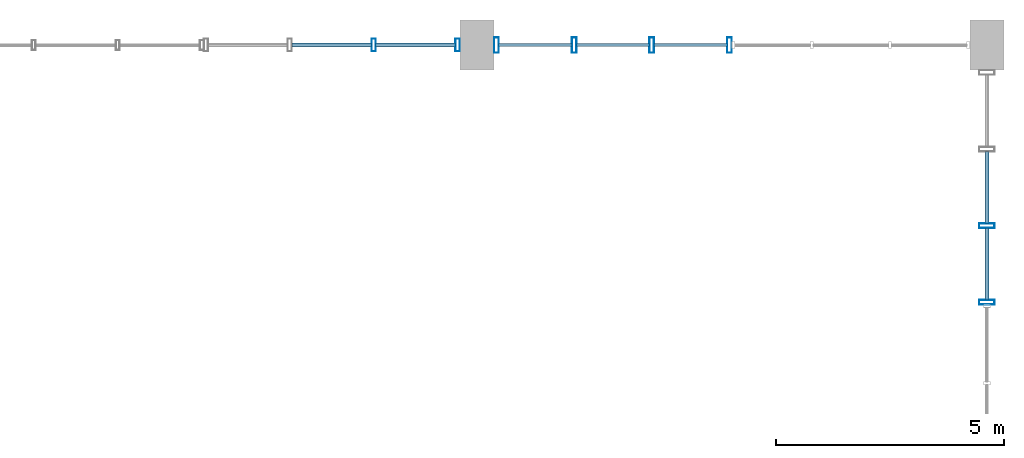
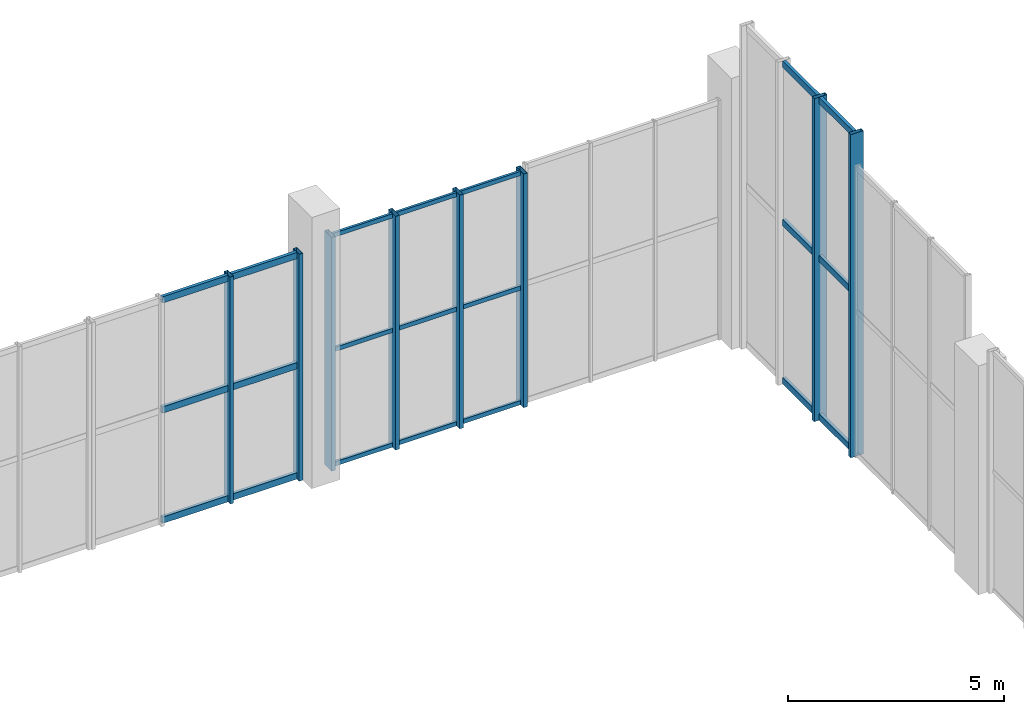
# One storey, part 17 of 28: 29 members, 3 elements without a shape of their own.
"""IFC4 building model written with IfcOpenShell, lengths in metres."""

import ifcopenshell
import ifcopenshell.guid

model = None  # the IFC model being written
_history = None  # IfcOwnerHistory: only IFC2X3 demands one
_inside = {}  # id of a spatial element -> (the spatial element, [elements in it])
_under = {}  # id of a project, library or spatial element -> (it, [spatial elements below it])
_declared = {}  # id of a project -> (the project, [libraries it declares])
_typed = {}  # id of a type object -> (the type object, [elements of that type])
_made_of = {}  # id of a material, layer set ... -> (it, [elements and type objects made of it])


def new_model(schema):
    """Start an empty IFC model of exactly this schema.

    Asked for "IFC4X3", IfcOpenShell would pick the latest addendum, in which some entities
    have other attributes; the version numbers below select the first issue.
    IFC2X3 requires an IfcOwnerHistory on every rooted entity: one is made here for all.
    """
    global model, _history
    if schema == "IFC4X3":
        model = ifcopenshell.file(schema_version=(4, 3, 0, 0))
    else:
        model = ifcopenshell.file(schema=schema)
    _inside.clear()
    _under.clear()
    _declared.clear()
    _typed.clear()
    _made_of.clear()
    _history = None
    if model.schema == "IFC2X3":
        org = make("IfcOrganization", Name="unknown")
        user = make(
            "IfcPersonAndOrganization",
            ThePerson=make("IfcPerson", FamilyName="unknown"),
            TheOrganization=org,
        )
        app = make(
            "IfcApplication",
            ApplicationDeveloper=org,
            Version="unknown",
            ApplicationFullName="unknown",
            ApplicationIdentifier="unknown",
        )
        _history = make(
            "IfcOwnerHistory",
            OwningUser=user,
            OwningApplication=app,
            ChangeAction="ADDED",
            CreationDate=0,
        )
    return model


def make(cls, **values):
    """One entity of the class cls with the attributes given. An attribute that is None is left unset."""
    return model.create_entity(
        cls, **{name: value for name, value in values.items() if value is not None}
    )


def rooted(cls, **values):
    """An entity with a GlobalId (a new one), such as an element, a storey or a relation."""
    return make(cls, GlobalId=ifcopenshell.guid.new(), OwnerHistory=_history, **values)


def si_unit(unit_type, name, prefix=None):
    """IfcSIUnit, for example si_unit("LENGTHUNIT", "METRE", prefix="MILLI")."""
    return make("IfcSIUnit", UnitType=unit_type, Prefix=prefix, Name=name)


def assignment(units):
    """IfcUnitAssignment: the units of a project."""
    return None if units is None else make("IfcUnitAssignment", Units=units)


def point(xyz):
    """IfcCartesianPoint."""
    return None if xyz is None else make("IfcCartesianPoint", Coordinates=xyz)


def direction(xyz):
    """IfcDirection."""
    return None if xyz is None else make("IfcDirection", DirectionRatios=xyz)


def frame(location, z_axis=None, x_axis=None):
    """IfcAxis2Placement3D, a coordinate frame: its origin and axes. An axis left out is left unset."""
    return make(
        "IfcAxis2Placement3D",
        Location=point(location),
        Axis=direction(z_axis),
        RefDirection=direction(x_axis),
    )


def frame_2d(location, x_axis=None):
    """IfcAxis2Placement2D, a coordinate frame in the plane: its origin and x axis."""
    return make(
        "IfcAxis2Placement2D", Location=point(location), RefDirection=direction(x_axis)
    )


def origin():
    """The frame at (0, 0, 0) with its axes left unset."""
    return frame((0.0, 0.0, 0.0))


def origin_2d():
    """The frame at (0, 0) in the plane with its x axis left unset."""
    return frame_2d((0.0, 0.0))


def place(relative_to, where):
    """IfcLocalPlacement: puts the frame where relative to a parent placement (None: the world)."""
    return make(
        "IfcLocalPlacement", PlacementRelTo=relative_to, RelativePlacement=where
    )


def context(
    kind, dimensions, precision=None, world=None, true_north=None, identifier=None
):
    """IfcGeometricRepresentationContext, for example the 3D "Model" context."""
    return make(
        "IfcGeometricRepresentationContext",
        ContextIdentifier=identifier,
        ContextType=kind,
        CoordinateSpaceDimension=dimensions,
        Precision=precision,
        WorldCoordinateSystem=world,
        TrueNorth=true_north,
    )


def subcontext(parent, identifier, kind, view, scale=None):
    """IfcGeometricRepresentationSubContext, for example "Body" below "Model"."""
    return make(
        "IfcGeometricRepresentationSubContext",
        ContextIdentifier=identifier,
        ContextType=kind,
        ParentContext=parent,
        TargetScale=scale,
        TargetView=view,
    )


def project(units=None, contexts=None):
    """IfcProject with its units and contexts."""
    return rooted(
        "IfcProject",
        Name="project",
        RepresentationContexts=contexts,
        UnitsInContext=assignment(units),
    )


def spatial(cls, under=None, at=None, **own):
    """A site, building, storey or space (cls), placed at a placement, below another one or the project."""
    s = rooted(cls, ObjectPlacement=at, **own)
    if under is not None:
        _under.setdefault(under.id(), (under, []))[1].append(s)
    return s


def profile(cls, at=None, kind="AREA", **sizes):
    """A parametric profile (cls). Its sizes go by their IFC names, for example OverallWidth=200.0."""
    return make(cls, ProfileType=kind, Position=at, **sizes)


def hollow_rectangle(**sizes):
    """IfcRectangleHollowProfileDef."""
    return profile("IfcRectangleHollowProfileDef", **sizes)


def extrude(swept, where, along, depth):
    """IfcExtrudedAreaSolid: the profile swept, set in the frame where, extruded along a direction by depth."""
    return make(
        "IfcExtrudedAreaSolid",
        SweptArea=swept,
        Position=where,
        ExtrudedDirection=direction(along),
        Depth=depth,
    )


def shape(context_of_items, identifier, shape_type, items):
    """IfcShapeRepresentation: the items that make up one representation, for example the "Body"."""
    return make(
        "IfcShapeRepresentation",
        ContextOfItems=context_of_items,
        RepresentationIdentifier=identifier,
        RepresentationType=shape_type,
        Items=items,
    )


def material(Name=None, Category=None):
    """IfcMaterial."""
    return make("IfcMaterial", Name=Name, Category=Category)


def layer(
    of_material, thickness, ventilated=None, Name=None, Category=None, Priority=None
):
    """IfcMaterialLayer: one layer of a wall or slab, of a material (None: an air gap)."""
    return make(
        "IfcMaterialLayer",
        Material=of_material,
        LayerThickness=thickness,
        IsVentilated=ventilated,
        Name=Name,
        Category=Category,
        Priority=Priority,
    )


def layer_set(layers, Name=None):
    """IfcMaterialLayerSet."""
    return make("IfcMaterialLayerSet", MaterialLayers=layers, LayerSetName=Name)


def material_profile(
    of_material, cross_section, Name=None, Category=None, Priority=None
):
    """IfcMaterialProfile: a cross section and its material."""
    return make(
        "IfcMaterialProfile",
        Name=Name,
        Material=of_material,
        Profile=cross_section,
        Priority=Priority,
        Category=Category,
    )


def profile_set(profiles, Name=None, composite=None):
    """IfcMaterialProfileSet."""
    return make(
        "IfcMaterialProfileSet",
        Name=Name,
        MaterialProfiles=profiles,
        CompositeProfile=composite,
    )


def made_of(thing, what):
    """Note that an element or type object is made of a material, layer set ...; save() writes the relation."""
    if what is not None:
        _made_of.setdefault(what.id(), (what, []))[1].append(thing)
    return thing


def type_object(cls, material=None, **own):
    """A type object (cls), such as IfcWallType, which elements share."""
    return made_of(rooted(cls, **own), material)


def element(
    cls,
    number,
    at=None,
    inside=None,
    cuts=None,
    type_object=None,
    material=None,
    context=None,
    identifier="Body",
    shape_type=None,
    held_by="IfcProductDefinitionShape",
    body=None,
    shapes=None,
    **own,
):
    """One element of the class cls, such as IfcWall. Its Tag is "e" and its number.

    at: its placement. inside: the storey or other place that contains it. cuts: it is an
    opening in that element (IfcRelVoidsElement). A single representation is given by context,
    identifier, shape_type and body (its items); several are given by shapes. held_by: the class
    of the entity that holds the representations. save() writes the other relations.
    """
    e = rooted(cls, Tag="e%d" % number, ObjectPlacement=at, **own)
    if body is not None:
        shapes = [shape(context, identifier, shape_type, body)]
    if shapes is not None:
        e.Representation = make(held_by, Representations=shapes)
    if inside is not None:
        _inside.setdefault(inside.id(), (inside, []))[1].append(e)
    if cuts is not None:
        rooted(
            "IfcRelVoidsElement", RelatingBuildingElement=cuts, RelatedOpeningElement=e
        )
    if type_object is not None:
        _typed.setdefault(type_object.id(), (type_object, []))[1].append(e)
    return made_of(e, material)


def aggregate(whole, parts):
    """IfcRelAggregates: a whole, such as a stair, and the parts it consists of."""
    return rooted("IfcRelAggregates", RelatingObject=whole, RelatedObjects=parts)


def save(model, path):
    """Write the relations noted so far, then the file.

    IfcRelAggregates (storeys below a building ...), IfcRelContainedInSpatialStructure (elements
    in a storey), IfcRelDefinesByType, IfcRelAssociatesMaterial and IfcRelDeclares: one each for
    every whole, place, type object, material and project.
    """
    for whole, parts in _under.values():
        aggregate(whole, parts)
    for where, things in _inside.values():
        rooted(
            "IfcRelContainedInSpatialStructure",
            RelatedElements=things,
            RelatingStructure=where,
        )
    for kind, things in _typed.values():
        rooted("IfcRelDefinesByType", RelatedObjects=things, RelatingType=kind)
    for what, things in _made_of.values():
        rooted("IfcRelAssociatesMaterial", RelatedObjects=things, RelatingMaterial=what)
    for by, libraries in _declared.values():
        rooted("IfcRelDeclares", RelatingContext=by, RelatedDefinitions=libraries)
    model.write(path)


model = new_model("IFC4")

# Units and contexts
model_context = context("Model", 3, precision=1e-05, world=origin(), true_north=direction((0.0, 1.0)))
body_context = subcontext(model_context, "Body", "Model", "MODEL_VIEW")
ifc_project = project(units=[si_unit("LENGTHUNIT", "METRE"), si_unit("AREAUNIT", "SQUARE_METRE"), si_unit("VOLUMEUNIT", "CUBIC_METRE"), si_unit("PLANEANGLEUNIT", "RADIAN"), si_unit("MASSUNIT", "GRAM", prefix="KILO"), si_unit("POWERUNIT", "WATT"), si_unit("THERMODYNAMICTEMPERATUREUNIT", "KELVIN")], contexts=[model_context])

# Site, building, storey
site_placement = place(None, origin())
site = spatial("IfcSite", under=ifc_project, at=site_placement, CompositionType="ELEMENT")
building_placement = place(site_placement, origin())
building = spatial("IfcBuilding", under=site, at=building_placement, Name="Kelmbourne Parkland Aquatics Centre", CompositionType="ELEMENT")
storey_placement = place(building_placement, frame((0.0, 0.0, 19.199951171875)))
storey = spatial("IfcBuildingStorey", under=building, at=storey_placement, Name="L04", CompositionType="ELEMENT", Elevation=19.199951171875)

# Curtain wall, members
ifc_material = material(Name="Thermally broken anodised aluminium framing", Category="aluminium")
ifc_layer_1 = layer(ifc_material, 0.179931640625)
ifc_layer_set_1 = layer_set([ifc_layer_1], Name="Thermally broken anodised aluminium framing")
curtain_wall_type_1 = type_object("IfcCurtainWallType", Name="CW-14", PredefinedType="NOTDEFINED", material=ifc_layer_set_1)
curtain_wall_1_placement = place(storey_placement, origin())
curtain_wall_1 = element("IfcCurtainWall", 1, at=curtain_wall_1_placement, inside=storey, type_object=curtain_wall_type_1, Name="Wave-hall clerestory curtain wall CW-L04-158", PredefinedType="NOTDEFINED")
ifc_material_profile_1 = material_profile(ifc_material, hollow_rectangle(XDim=0.094970703125, YDim=0.280029296875, WallThickness=0.005615234375, at=origin_2d()), Name="CW-M 95x280")
ifc_profile_set_1 = profile_set([ifc_material_profile_1], Name="Thermally broken anodised aluminium framing")
member_type_1 = type_object("IfcMemberType", Name="MB-MUL-4", PredefinedType="MULLION", material=ifc_profile_set_1)
member_1_placement = place(storey_placement, frame((161.73291015625, 114.800048828125, 0.0), z_axis=(0.0, 0.0, 1.0), x_axis=(1.0, 0.0, 0.0)))
member_1 = element("IfcMember", 2, at=member_1_placement, type_object=member_type_1, Name="CW-L04-158 mullion 2", PredefinedType="MULLION", context=body_context, shape_type="SweptSolid", body=[
    extrude(hollow_rectangle(XDim=0.094970703125, YDim=0.280029296875, WallThickness=0.005615234375, at=origin_2d()), origin(), (0.0, 0.0, 1.0), 6.400634765625),
])
member_2_placement = place(storey_placement, frame((163.575439453125, 114.800048828125, 0.0), z_axis=(0.0, 0.0, 1.0), x_axis=(1.0, 0.0, 0.0)))
member_2 = element("IfcMember", 3, at=member_2_placement, type_object=member_type_1, Name="CW-L04-158 mullion 3", PredefinedType="MULLION", context=body_context, shape_type="SweptSolid", body=[
    extrude(hollow_rectangle(XDim=0.094970703125, YDim=0.280029296875, WallThickness=0.005615234375, at=origin_2d()), origin(), (0.0, 0.0, 1.0), 6.400634765625),
])

ifc_layer_2 = layer(ifc_material, 0.179931640625)
ifc_layer_set_2 = layer_set([ifc_layer_2], Name="Thermally broken anodised aluminium framing")
curtain_wall_type_2 = type_object("IfcCurtainWallType", Name="CW-08", PredefinedType="NOTDEFINED", material=ifc_layer_set_2)
curtain_wall_2_placement = place(storey_placement, origin())
curtain_wall_2 = element("IfcCurtainWall", 4, at=curtain_wall_2_placement, inside=storey, type_object=curtain_wall_type_2, Name="Wave-hall clerestory curtain wall CW-L04-104", PredefinedType="NOTDEFINED")
ifc_material_profile_2 = material_profile(ifc_material, hollow_rectangle(XDim=0.10498046875, YDim=0.340087890625, WallThickness=0.006103515625, at=origin_2d()), Name="CW-M 105x340")
ifc_profile_set_2 = profile_set([ifc_material_profile_2], Name="Thermally broken anodised aluminium framing")
member_type_2 = type_object("IfcMemberType", Name="MB-MUL-5", PredefinedType="MULLION", material=ifc_profile_set_2)
member_3_placement = place(storey_placement, frame((175.199951171875, 109.152587890625, 0.0), z_axis=(0.0, 0.0, 1.0), x_axis=(0.0, 1.0, 0.0)))
member_3 = element("IfcMember", 5, at=member_3_placement, type_object=member_type_2, Name="CW-L04-104 mullion 0", PredefinedType="MULLION", context=body_context, shape_type="SweptSolid", body=[
    extrude(hollow_rectangle(XDim=0.10498046875, YDim=0.340087890625, WallThickness=0.006103515625, at=origin_2d()), origin(), (0.0, 0.0, 1.0), 9.1142578125),
])
member_4_placement = place(storey_placement, frame((175.199951171875, 110.83349609375, 0.0), z_axis=(0.0, 0.0, 1.0), x_axis=(0.0, 1.0, 0.0)))
member_4 = element("IfcMember", 6, at=member_4_placement, type_object=member_type_2, Name="CW-L04-104 mullion 1", PredefinedType="MULLION", context=body_context, shape_type="SweptSolid", body=[
    extrude(hollow_rectangle(XDim=0.10498046875, YDim=0.340087890625, WallThickness=0.006103515625, at=origin_2d()), origin(), (0.0, 0.0, 1.0), 9.1142578125),
])

ifc_layer_3 = layer(ifc_material, 0.179931640625)
ifc_layer_set_3 = layer_set([ifc_layer_3], Name="Thermally broken anodised aluminium framing")
curtain_wall_type_3 = type_object("IfcCurtainWallType", Name="CW-15", PredefinedType="NOTDEFINED", material=ifc_layer_set_3)
curtain_wall_3_placement = place(storey_placement, origin())
curtain_wall_3 = element("IfcCurtainWall", 7, at=curtain_wall_3_placement, inside=storey, type_object=curtain_wall_type_3, Name="Wave-hall clerestory curtain wall CW-L04-159", PredefinedType="NOTDEFINED")
member_5_placement = place(storey_placement, frame((164.429443359375, 114.800048828125, 0.0), z_axis=(0.0, 0.0, 1.0), x_axis=(1.0, 0.0, 0.0)))
member_5 = element("IfcMember", 8, at=member_5_placement, type_object=member_type_2, Name="CW-L04-159 mullion 0", PredefinedType="MULLION", context=body_context, shape_type="SweptSolid", body=[
    extrude(hollow_rectangle(XDim=0.10498046875, YDim=0.340087890625, WallThickness=0.006103515625, at=origin_2d()), origin(), (0.0, 0.0, 1.0), 6.589599609375),
])
member_6_placement = place(storey_placement, frame((166.135498046875, 114.800048828125, 0.0), z_axis=(0.0, 0.0, 1.0), x_axis=(1.0, 0.0, 0.0)))
member_6 = element("IfcMember", 9, at=member_6_placement, type_object=member_type_2, Name="CW-L04-159 mullion 1", PredefinedType="MULLION", context=body_context, shape_type="SweptSolid", body=[
    extrude(hollow_rectangle(XDim=0.10498046875, YDim=0.340087890625, WallThickness=0.006103515625, at=origin_2d()), origin(), (0.0, 0.0, 1.0), 6.589599609375),
])
member_7_placement = place(storey_placement, frame((167.841552734375, 114.800048828125, 0.0), z_axis=(0.0, 0.0, 1.0), x_axis=(1.0, 0.0, 0.0)))
member_7 = element("IfcMember", 10, at=member_7_placement, type_object=member_type_2, Name="CW-L04-159 mullion 2", PredefinedType="MULLION", context=body_context, shape_type="SweptSolid", body=[
    extrude(hollow_rectangle(XDim=0.10498046875, YDim=0.340087890625, WallThickness=0.006103515625, at=origin_2d()), origin(), (0.0, 0.0, 1.0), 6.589599609375),
])
member_8_placement = place(storey_placement, frame((169.547607421875, 114.800048828125, 0.0), z_axis=(0.0, 0.0, 1.0), x_axis=(1.0, 0.0, 0.0)))
member_8 = element("IfcMember", 11, at=member_8_placement, type_object=member_type_2, Name="CW-L04-159 mullion 3", PredefinedType="MULLION", context=body_context, shape_type="SweptSolid", body=[
    extrude(hollow_rectangle(XDim=0.10498046875, YDim=0.340087890625, WallThickness=0.006103515625, at=origin_2d()), origin(), (0.0, 0.0, 1.0), 6.589599609375),
])
ifc_material_profile_3 = material_profile(ifc_material, hollow_rectangle(XDim=0.06494140625, YDim=0.1201171875, WallThickness=0.00341796875, at=origin_2d()), Name="CW-T 65x120")
ifc_profile_set_3 = profile_set([ifc_material_profile_3], Name="Thermally broken anodised aluminium framing")
member_type_3 = type_object("IfcMemberType", Name="MB-TRN-1", PredefinedType="USERDEFINED", material=ifc_profile_set_3)
member_9_placement = place(storey_placement, frame((164.47802734375, 114.800048828125, 0.06298828125), z_axis=(1.0, 0.0, 0.0), x_axis=(0.0, 1.0, 0.0)))
member_9 = element("IfcMember", 12, at=member_9_placement, type_object=member_type_3, Name="CW-L04-159 transom 0-0", ObjectType="TRANSOM", PredefinedType="USERDEFINED", context=body_context, shape_type="SweptSolid", body=[
    extrude(hollow_rectangle(XDim=0.06494140625, YDim=0.1201171875, WallThickness=0.00341796875, at=origin_2d()), origin(), (0.0, 0.0, 1.0), 1.60888671875),
])
member_10_placement = place(storey_placement, frame((166.18408203125, 114.800048828125, 0.06298828125), z_axis=(1.0, 0.0, 0.0), x_axis=(0.0, 1.0, 0.0)))
member_10 = element("IfcMember", 13, at=member_10_placement, type_object=member_type_3, Name="CW-L04-159 transom 0-1", ObjectType="TRANSOM", PredefinedType="USERDEFINED", context=body_context, shape_type="SweptSolid", body=[
    extrude(hollow_rectangle(XDim=0.06494140625, YDim=0.1201171875, WallThickness=0.00341796875, at=origin_2d()), origin(), (0.0, 0.0, 1.0), 1.60888671875),
])
member_11_placement = place(storey_placement, frame((167.889892578125, 114.800048828125, 0.06298828125), z_axis=(1.0, 0.0, 0.0), x_axis=(0.0, 1.0, 0.0)))
member_11 = element("IfcMember", 14, at=member_11_placement, type_object=member_type_3, Name="CW-L04-159 transom 0-2", ObjectType="TRANSOM", PredefinedType="USERDEFINED", context=body_context, shape_type="SweptSolid", body=[
    extrude(hollow_rectangle(XDim=0.06494140625, YDim=0.1201171875, WallThickness=0.00341796875, at=origin_2d()), origin(), (0.0, 0.0, 1.0), 1.609130859375),
])
member_12_placement = place(storey_placement, frame((164.47802734375, 114.800048828125, 3.294677734375), z_axis=(1.0, 0.0, 0.0), x_axis=(0.0, 1.0, 0.0)))
member_12 = element("IfcMember", 15, at=member_12_placement, type_object=member_type_3, Name="CW-L04-159 transom 1-0", ObjectType="TRANSOM", PredefinedType="USERDEFINED", context=body_context, shape_type="SweptSolid", body=[
    extrude(hollow_rectangle(XDim=0.06494140625, YDim=0.1201171875, WallThickness=0.00341796875, at=origin_2d()), origin(), (0.0, 0.0, 1.0), 1.60888671875),
])
member_13_placement = place(storey_placement, frame((166.18408203125, 114.800048828125, 3.294677734375), z_axis=(1.0, 0.0, 0.0), x_axis=(0.0, 1.0, 0.0)))
member_13 = element("IfcMember", 16, at=member_13_placement, type_object=member_type_3, Name="CW-L04-159 transom 1-1", ObjectType="TRANSOM", PredefinedType="USERDEFINED", context=body_context, shape_type="SweptSolid", body=[
    extrude(hollow_rectangle(XDim=0.06494140625, YDim=0.1201171875, WallThickness=0.00341796875, at=origin_2d()), origin(), (0.0, 0.0, 1.0), 1.60888671875),
])
member_14_placement = place(storey_placement, frame((167.889892578125, 114.800048828125, 3.294677734375), z_axis=(1.0, 0.0, 0.0), x_axis=(0.0, 1.0, 0.0)))
member_14 = element("IfcMember", 17, at=member_14_placement, type_object=member_type_3, Name="CW-L04-159 transom 1-2", ObjectType="TRANSOM", PredefinedType="USERDEFINED", context=body_context, shape_type="SweptSolid", body=[
    extrude(hollow_rectangle(XDim=0.06494140625, YDim=0.1201171875, WallThickness=0.00341796875, at=origin_2d()), origin(), (0.0, 0.0, 1.0), 1.609130859375),
])
member_15_placement = place(storey_placement, frame((164.47802734375, 114.800048828125, 6.526611328125), z_axis=(1.0, 0.0, 0.0), x_axis=(0.0, 1.0, 0.0)))
member_15 = element("IfcMember", 18, at=member_15_placement, type_object=member_type_3, Name="CW-L04-159 transom 2-0", ObjectType="TRANSOM", PredefinedType="USERDEFINED", context=body_context, shape_type="SweptSolid", body=[
    extrude(hollow_rectangle(XDim=0.06494140625, YDim=0.1201171875, WallThickness=0.00341796875, at=origin_2d()), origin(), (0.0, 0.0, 1.0), 1.60888671875),
])
member_16_placement = place(storey_placement, frame((166.18408203125, 114.800048828125, 6.526611328125), z_axis=(1.0, 0.0, 0.0), x_axis=(0.0, 1.0, 0.0)))
member_16 = element("IfcMember", 19, at=member_16_placement, type_object=member_type_3, Name="CW-L04-159 transom 2-1", ObjectType="TRANSOM", PredefinedType="USERDEFINED", context=body_context, shape_type="SweptSolid", body=[
    extrude(hollow_rectangle(XDim=0.06494140625, YDim=0.1201171875, WallThickness=0.00341796875, at=origin_2d()), origin(), (0.0, 0.0, 1.0), 1.60888671875),
])
member_17_placement = place(storey_placement, frame((167.889892578125, 114.800048828125, 6.526611328125), z_axis=(1.0, 0.0, 0.0), x_axis=(0.0, 1.0, 0.0)))
member_17 = element("IfcMember", 20, at=member_17_placement, type_object=member_type_3, Name="CW-L04-159 transom 2-2", ObjectType="TRANSOM", PredefinedType="USERDEFINED", context=body_context, shape_type="SweptSolid", body=[
    extrude(hollow_rectangle(XDim=0.06494140625, YDim=0.1201171875, WallThickness=0.00341796875, at=origin_2d()), origin(), (0.0, 0.0, 1.0), 1.609130859375),
])
aggregate(curtain_wall_3, [member_5, member_6, member_7, member_8, member_9, member_10, member_11, member_12, member_13, member_14, member_15, member_16, member_17])

# Member
ifc_material_profile_4 = material_profile(ifc_material, hollow_rectangle(XDim=0.0849609375, YDim=0.179931640625, WallThickness=0.00439453125, at=origin_2d()), Name="CW-T 85x180")
ifc_profile_set_4 = profile_set([ifc_material_profile_4], Name="Thermally broken anodised aluminium framing")
member_type_4 = type_object("IfcMemberType", Name="MB-TRN-3", PredefinedType="USERDEFINED", material=ifc_profile_set_4)
member_18_placement = place(storey_placement, frame((175.199951171875, 109.200927734375, 0.093017578125), z_axis=(0.0, 1.0, 0.0), x_axis=(-1.0, 0.0, 0.0)))
member_18 = element("IfcMember", 21, at=member_18_placement, type_object=member_type_4, Name="CW-L04-104 transom 0-0", ObjectType="TRANSOM", PredefinedType="USERDEFINED", context=body_context, shape_type="SweptSolid", body=[
    extrude(hollow_rectangle(XDim=0.0849609375, YDim=0.179931640625, WallThickness=0.00439453125, at=origin_2d()), origin(), (0.0, 0.0, 1.0), 1.583984375),
])

member_19_placement = place(storey_placement, frame((175.199951171875, 110.882080078125, 0.093017578125), z_axis=(0.0, 1.0, 0.0), x_axis=(-1.0, 0.0, 0.0)))
member_19 = element("IfcMember", 22, at=member_19_placement, type_object=member_type_4, Name="CW-L04-104 transom 0-1", ObjectType="TRANSOM", PredefinedType="USERDEFINED", context=body_context, shape_type="SweptSolid", body=[
    extrude(hollow_rectangle(XDim=0.0849609375, YDim=0.179931640625, WallThickness=0.00439453125, at=origin_2d()), origin(), (0.0, 0.0, 1.0), 1.583984375),
])

member_20_placement = place(storey_placement, frame((175.199951171875, 109.200927734375, 4.55712890625), z_axis=(0.0, 1.0, 0.0), x_axis=(-1.0, 0.0, 0.0)))
member_20 = element("IfcMember", 23, at=member_20_placement, type_object=member_type_4, Name="CW-L04-104 transom 1-0", ObjectType="TRANSOM", PredefinedType="USERDEFINED", context=body_context, shape_type="SweptSolid", body=[
    extrude(hollow_rectangle(XDim=0.0849609375, YDim=0.179931640625, WallThickness=0.00439453125, at=origin_2d()), origin(), (0.0, 0.0, 1.0), 1.583984375),
])

member_21_placement = place(storey_placement, frame((175.199951171875, 110.882080078125, 4.55712890625), z_axis=(0.0, 1.0, 0.0), x_axis=(-1.0, 0.0, 0.0)))
member_21 = element("IfcMember", 24, at=member_21_placement, type_object=member_type_4, Name="CW-L04-104 transom 1-1", ObjectType="TRANSOM", PredefinedType="USERDEFINED", context=body_context, shape_type="SweptSolid", body=[
    extrude(hollow_rectangle(XDim=0.0849609375, YDim=0.179931640625, WallThickness=0.00439453125, at=origin_2d()), origin(), (0.0, 0.0, 1.0), 1.583984375),
])

member_22_placement = place(storey_placement, frame((175.199951171875, 109.200927734375, 9.021240234375), z_axis=(0.0, 1.0, 0.0), x_axis=(-1.0, 0.0, 0.0)))
member_22 = element("IfcMember", 25, at=member_22_placement, type_object=member_type_4, Name="CW-L04-104 transom 2-0", ObjectType="TRANSOM", PredefinedType="USERDEFINED", context=body_context, shape_type="SweptSolid", body=[
    extrude(hollow_rectangle(XDim=0.0849609375, YDim=0.179931640625, WallThickness=0.00439453125, at=origin_2d()), origin(), (0.0, 0.0, 1.0), 1.583984375),
])

member_23_placement = place(storey_placement, frame((175.199951171875, 110.882080078125, 9.021240234375), z_axis=(0.0, 1.0, 0.0), x_axis=(-1.0, 0.0, 0.0)))
member_23 = element("IfcMember", 26, at=member_23_placement, type_object=member_type_4, Name="CW-L04-104 transom 2-1", ObjectType="TRANSOM", PredefinedType="USERDEFINED", context=body_context, shape_type="SweptSolid", body=[
    extrude(hollow_rectangle(XDim=0.0849609375, YDim=0.179931640625, WallThickness=0.00439453125, at=origin_2d()), origin(), (0.0, 0.0, 1.0), 1.583984375),
])

aggregate(curtain_wall_2, [member_3, member_4, member_18, member_19, member_20, member_21, member_22, member_23])

member_24_placement = place(storey_placement, frame((159.93359375, 114.800048828125, 0.093017578125), z_axis=(1.0, 0.0, 0.0), x_axis=(0.0, 1.0, 0.0)))
member_24 = element("IfcMember", 27, at=member_24_placement, type_object=member_type_4, Name="CW-L04-158 transom 0-1", ObjectType="TRANSOM", PredefinedType="USERDEFINED", context=body_context, shape_type="SweptSolid", body=[
    extrude(hollow_rectangle(XDim=0.0849609375, YDim=0.179931640625, WallThickness=0.00439453125, at=origin_2d()), origin(), (0.0, 0.0, 1.0), 1.755615234375),
])

member_25_placement = place(storey_placement, frame((161.7763671875, 114.800048828125, 0.093017578125), z_axis=(1.0, 0.0, 0.0), x_axis=(0.0, 1.0, 0.0)))
member_25 = element("IfcMember", 28, at=member_25_placement, type_object=member_type_4, Name="CW-L04-158 transom 0-2", ObjectType="TRANSOM", PredefinedType="USERDEFINED", context=body_context, shape_type="SweptSolid", body=[
    extrude(hollow_rectangle(XDim=0.0849609375, YDim=0.179931640625, WallThickness=0.00439453125, at=origin_2d()), origin(), (0.0, 0.0, 1.0), 1.755615234375),
])

member_26_placement = place(storey_placement, frame((159.93359375, 114.800048828125, 3.200439453125), z_axis=(1.0, 0.0, 0.0), x_axis=(0.0, 1.0, 0.0)))
member_26 = element("IfcMember", 29, at=member_26_placement, type_object=member_type_4, Name="CW-L04-158 transom 1-1", ObjectType="TRANSOM", PredefinedType="USERDEFINED", context=body_context, shape_type="SweptSolid", body=[
    extrude(hollow_rectangle(XDim=0.0849609375, YDim=0.179931640625, WallThickness=0.00439453125, at=origin_2d()), origin(), (0.0, 0.0, 1.0), 1.755615234375),
])

member_27_placement = place(storey_placement, frame((161.7763671875, 114.800048828125, 3.200439453125), z_axis=(1.0, 0.0, 0.0), x_axis=(0.0, 1.0, 0.0)))
member_27 = element("IfcMember", 30, at=member_27_placement, type_object=member_type_4, Name="CW-L04-158 transom 1-2", ObjectType="TRANSOM", PredefinedType="USERDEFINED", context=body_context, shape_type="SweptSolid", body=[
    extrude(hollow_rectangle(XDim=0.0849609375, YDim=0.179931640625, WallThickness=0.00439453125, at=origin_2d()), origin(), (0.0, 0.0, 1.0), 1.755615234375),
])

member_28_placement = place(storey_placement, frame((159.93359375, 114.800048828125, 6.3076171875), z_axis=(1.0, 0.0, 0.0), x_axis=(0.0, 1.0, 0.0)))
member_28 = element("IfcMember", 31, at=member_28_placement, type_object=member_type_4, Name="CW-L04-158 transom 2-1", ObjectType="TRANSOM", PredefinedType="USERDEFINED", context=body_context, shape_type="SweptSolid", body=[
    extrude(hollow_rectangle(XDim=0.0849609375, YDim=0.179931640625, WallThickness=0.00439453125, at=origin_2d()), origin(), (0.0, 0.0, 1.0), 1.755615234375),
])

member_29_placement = place(storey_placement, frame((161.7763671875, 114.800048828125, 6.3076171875), z_axis=(1.0, 0.0, 0.0), x_axis=(0.0, 1.0, 0.0)))
member_29 = element("IfcMember", 32, at=member_29_placement, type_object=member_type_4, Name="CW-L04-158 transom 2-2", ObjectType="TRANSOM", PredefinedType="USERDEFINED", context=body_context, shape_type="SweptSolid", body=[
    extrude(hollow_rectangle(XDim=0.0849609375, YDim=0.179931640625, WallThickness=0.00439453125, at=origin_2d()), origin(), (0.0, 0.0, 1.0), 1.755615234375),
])

aggregate(curtain_wall_1, [member_1, member_2, member_24, member_25, member_26, member_27, member_28, member_29])

save(model, "model.ifc")
